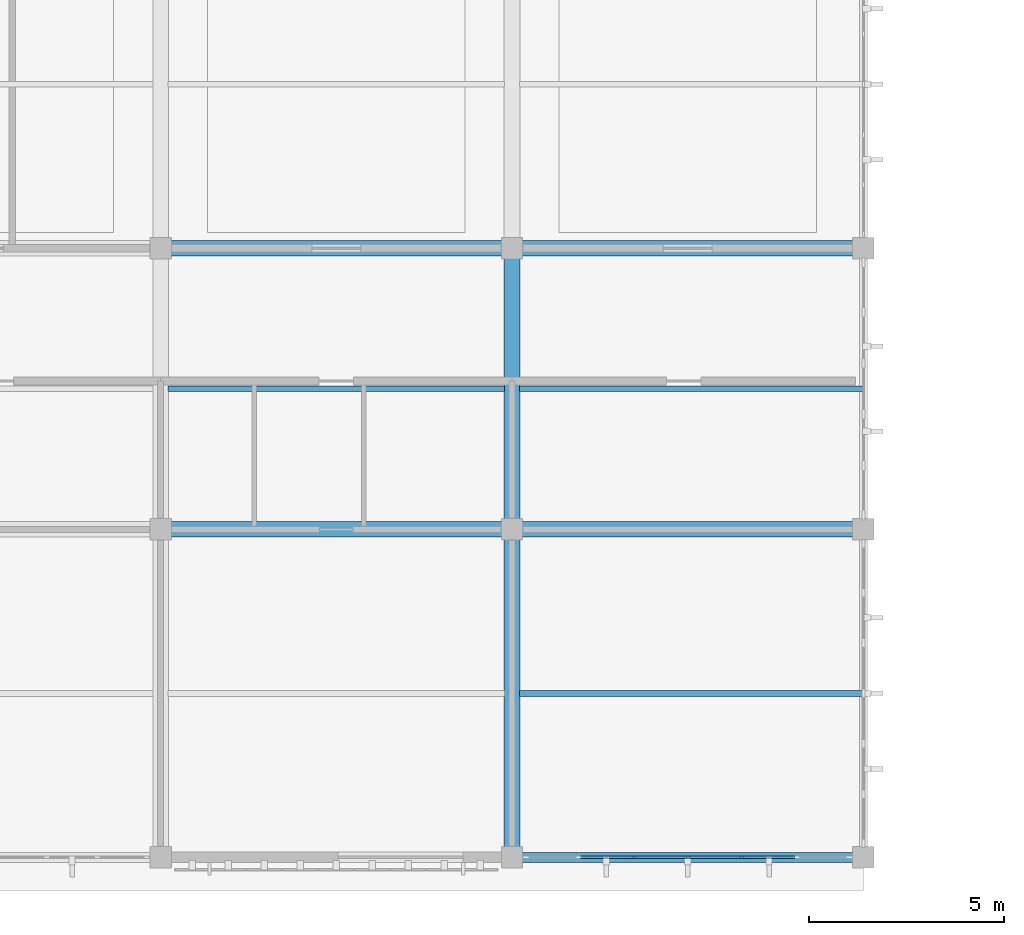
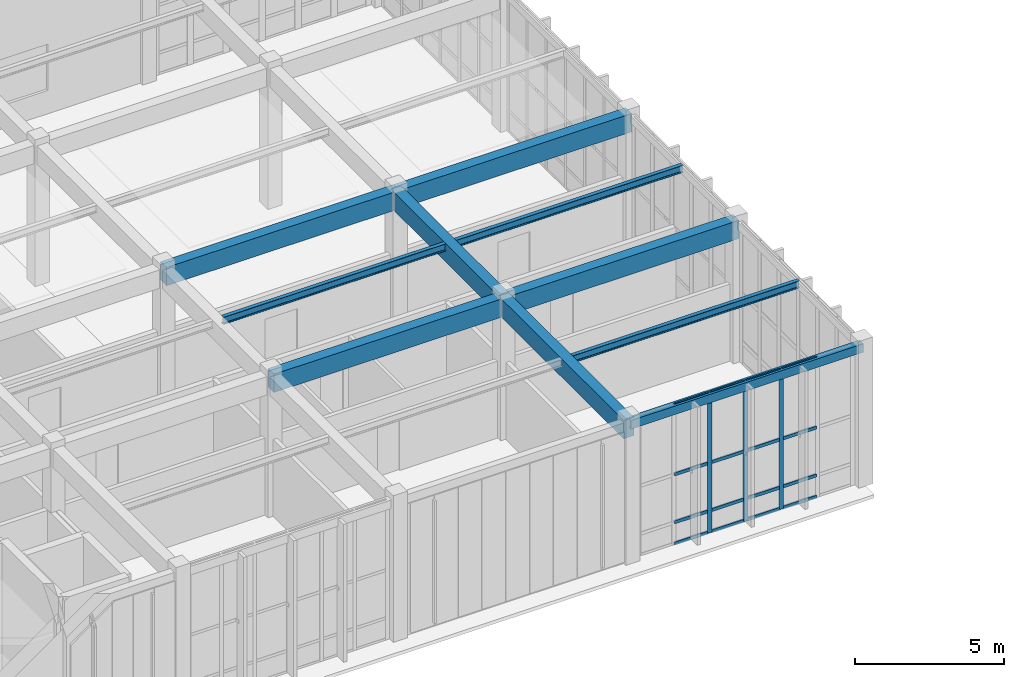
# One storey, part 20 of 105: 19 members, 10 beams, 1 element without a shape of its own.
"""IFC4 building model written with IfcOpenShell, lengths in metres."""

from ifc_helpers import new_model, si_unit, direction, frame, origin, origin_2d, place, context, subcontext, project, spatial, rectangle, hollow_rectangle, i_section, extrude, material, material_profile, profile_set, type_object, element, aggregate, save


model = new_model("IFC4")

# Units and contexts
model_context = context("Model", 3, precision=1e-05, world=origin(), true_north=direction((0.0, 1.0)))
body_context = subcontext(model_context, "Body", "Model", "MODEL_VIEW")
ifc_project = project(units=[si_unit("LENGTHUNIT", "METRE"), si_unit("AREAUNIT", "SQUARE_METRE"), si_unit("VOLUMEUNIT", "CUBIC_METRE"), si_unit("PLANEANGLEUNIT", "RADIAN"), si_unit("MASSUNIT", "GRAM", prefix="KILO")], contexts=[model_context])

# Site, building, storey
site_placement = place(None, origin())
site = spatial("IfcSite", under=ifc_project, at=site_placement, CompositionType="ELEMENT")
building_placement = place(site_placement, origin())
building = spatial("IfcBuilding", under=site, at=building_placement, Name="Tizgana Railside Sports Hall", CompositionType="ELEMENT")
storey_placement = place(building_placement, frame((0.0, 0.0, 6.0)))
storey = spatial("IfcBuildingStorey", under=building, at=storey_placement, Name="L01", CompositionType="ELEMENT", Elevation=6.0)

# Beams
ifc_material_1 = material(Name="Concrete C35/45", Category="concrete")
ifc_material_profile_1 = material_profile(ifc_material_1, rectangle(XDim=0.39990234375, YDim=0.75, at=origin_2d()), Name="RCB 400x750")
ifc_profile_set_1 = profile_set([ifc_material_profile_1], Name="Concrete C35/45")
beam_type_1 = type_object("IfcBeamType", Name="Concrete Beam RCB 400x750", PredefinedType="BEAM", material=ifc_profile_set_1)
beam_1_placement = place(storey_placement, frame((88.800048828125, 0.0, 5.361083984375), z_axis=(0.0, 1.0, 0.0), x_axis=(-1.0, 0.0, 0.0)))
element("IfcBeam", 1, at=beam_1_placement, inside=storey, type_object=beam_type_1, Name="L01 BEM-0502", PredefinedType="BEAM", context=body_context, shape_type="SweptSolid", body=[
    extrude(rectangle(XDim=0.39990234375, YDim=0.75, at=origin_2d()), origin(), (0.0, 0.0, 1.0), 8.39990234375),
])
beam_2_placement = place(storey_placement, frame((88.800048828125, 8.39990234375, 5.361083984375), z_axis=(0.0, 1.0, 0.0), x_axis=(-1.0, 0.0, 0.0)))
element("IfcBeam", 2, at=beam_2_placement, inside=storey, type_object=beam_type_1, Name="L01 BEM-0503", PredefinedType="BEAM", context=body_context, shape_type="SweptSolid", body=[
    extrude(rectangle(XDim=0.39990234375, YDim=0.75, at=origin_2d()), origin(), (0.0, 0.0, 1.0), 7.2001953125),
])
for number, where, z_axis, x_axis, name in (
    (3, (79.800048828125, 8.39990234375, 5.361083984375), (1.0, 0.0, 0.0), (0.0, 1.0, 0.0), "L01 BEM-0580"),
    (4, (79.800048828125, 15.60009765625, 5.361083984375), (1.0, 0.0, 0.0), (0.0, 1.0, 0.0), "L01 BEM-0581"),
    (5, (88.800048828125, 8.39990234375, 5.361083984375), (1.0, 0.0, 0.0), (0.0, 1.0, 0.0), "L01 BEM-0589"),
    (6, (88.800048828125, 15.60009765625, 5.361083984375), (1.0, 0.0, 0.0), (0.0, 1.0, 0.0), "L01 BEM-0590"),
):
    element("IfcBeam", number, at=place(storey_placement, frame(where, z_axis=z_axis, x_axis=x_axis)), inside=storey, type_object=beam_type_1, Name=name, PredefinedType="BEAM", context=body_context, shape_type="SweptSolid", body=[
        extrude(rectangle(XDim=0.39990234375, YDim=0.75, at=origin_2d()), origin(), (0.0, 0.0, 1.0), 9.0),
    ])

# Curtain wall, members
ifc_material_2 = material(Name="Anodised aluminium and glass", Category="aluminium")
curtain_wall_type = type_object("IfcCurtainWallType", Name="Unitised Curtain Wall Climbing 1600", PredefinedType="NOTDEFINED", material=ifc_material_2)
curtain_wall_placement = place(storey_placement, origin())
curtain_wall = element("IfcCurtainWall", 7, at=curtain_wall_placement, inside=storey, type_object=curtain_wall_type, Name="L01 Curtain Wall CW-0091", PredefinedType="NOTDEFINED")
ifc_material_3 = material(Name="Anodised aluminium", Category="aluminium")
ifc_material_profile_2 = material_profile(ifc_material_3, rectangle(XDim=0.06005859375, YDim=0.159912109375, at=origin_2d()), Name="Mullion 60x160")
ifc_profile_set_2 = profile_set([ifc_material_profile_2], Name="Anodised aluminium")
member_type_1 = type_object("IfcMemberType", Name="Mullion 60x160", PredefinedType="MULLION", material=ifc_profile_set_2)
member_1_placement = place(storey_placement, frame((94.68994140625, 0.0, 0.0), z_axis=(0.0, 0.0, 1.0), x_axis=(0.0, -1.0, 0.0)))
member_1 = element("IfcMember", 8, at=member_1_placement, type_object=member_type_1, Name="CW-04 mullion 3", PredefinedType="MULLION", context=body_context, shape_type="SweptSolid", body=[
    extrude(rectangle(XDim=0.06005859375, YDim=0.159912109375, at=origin_2d()), origin(), (0.0, 0.0, 1.0), 5.719970703125),
])
member_2_placement = place(storey_placement, frame((93.300048828125, 0.0, 0.0), z_axis=(0.0, 0.0, 1.0), x_axis=(0.0, -1.0, 0.0)))
member_2 = element("IfcMember", 9, at=member_2_placement, type_object=member_type_1, Name="CW-04 mullion 4", PredefinedType="MULLION", context=body_context, shape_type="SweptSolid", body=[
    extrude(rectangle(XDim=0.06005859375, YDim=0.159912109375, at=origin_2d()), origin(), (0.0, 0.0, 1.0), 5.719970703125),
])
member_3_placement = place(storey_placement, frame((91.909912109375, 0.0, 0.0), z_axis=(0.0, 0.0, 1.0), x_axis=(0.0, -1.0, 0.0)))
member_3 = element("IfcMember", 10, at=member_3_placement, type_object=member_type_1, Name="CW-04 mullion 5", PredefinedType="MULLION", context=body_context, shape_type="SweptSolid", body=[
    extrude(rectangle(XDim=0.06005859375, YDim=0.159912109375, at=origin_2d()), origin(), (0.0, 0.0, 1.0), 5.719970703125),
])

# Beams
ifc_material_4 = material(Name="Steel S355J2", Category="steel")
ifc_material_profile_3 = material_profile(ifc_material_4, i_section(OverallWidth=0.14990234375, OverallDepth=0.300048828125, WebThickness=0.007080078125, FlangeThickness=0.0107421875, FilletRadius=0.014892578125, at=origin_2d()), Name="IPE 300")
ifc_profile_set_3 = profile_set([ifc_material_profile_3], Name="Steel S355J2")
beam_type_2 = type_object("IfcBeamType", Name="Steel Joist IPE 300", PredefinedType="JOIST", material=ifc_profile_set_3)
beam_3_placement = place(storey_placement, frame((79.9951171875, 12.0, 5.5859375), z_axis=(1.0, 0.0, 0.0), x_axis=(0.0, 1.0, 0.0)))
element("IfcBeam", 11, at=beam_3_placement, inside=storey, type_object=beam_type_2, Name="L01 BEM-0585", PredefinedType="JOIST", context=body_context, shape_type="SweptSolid", body=[
    extrude(i_section(OverallWidth=0.14990234375, OverallDepth=0.300048828125, WebThickness=0.007080078125, FlangeThickness=0.0107421875, FilletRadius=0.014892578125, at=origin_2d()), origin(), (0.0, 0.0, 1.0), 8.60986328125),
])
for number, where, z_axis, x_axis, name in (
    (12, (88.9951171875, 4.199951171875, 5.5859375), (1.0, 0.0, 0.0), (0.0, 1.0, 0.0), "L01 BEM-0593"),
    (13, (88.9951171875, 12.0, 5.5859375), (1.0, 0.0, 0.0), (0.0, 1.0, 0.0), "L01 BEM-0594"),
):
    element("IfcBeam", number, at=place(storey_placement, frame(where, z_axis=z_axis, x_axis=x_axis)), inside=storey, type_object=beam_type_2, Name=name, PredefinedType="JOIST", context=body_context, shape_type="SweptSolid", body=[
        extrude(i_section(OverallWidth=0.14990234375, OverallDepth=0.300048828125, WebThickness=0.007080078125, FlangeThickness=0.0107421875, FilletRadius=0.014892578125, at=origin_2d()), origin(), (0.0, 0.0, 1.0), 8.804931640625),
    ])
ifc_material_profile_4 = material_profile(ifc_material_4, hollow_rectangle(XDim=0.25, YDim=0.35009765625, WallThickness=0.011962890625, at=origin_2d()), Name="RHS 350x250x12")
ifc_profile_set_4 = profile_set([ifc_material_profile_4], Name="Steel S355J2")
beam_type_3 = type_object("IfcBeamType", Name="Steel Spandrel RHS 350x250x12", PredefinedType="SPANDREL", material=ifc_profile_set_4)
beam_4_placement = place(storey_placement, frame((88.800048828125, 0.0, 5.56103515625), z_axis=(1.0, 0.0, 0.0), x_axis=(0.0, 1.0, 0.0)))
element("IfcBeam", 14, at=beam_4_placement, inside=storey, type_object=beam_type_3, Name="L01 BEM-0588", PredefinedType="SPANDREL", context=body_context, shape_type="SweptSolid", body=[
    extrude(hollow_rectangle(XDim=0.25, YDim=0.35009765625, WallThickness=0.011962890625, at=origin_2d()), origin(), (0.0, 0.0, 1.0), 9.0),
])

# Member
ifc_material_profile_5 = material_profile(ifc_material_3, rectangle(XDim=0.06005859375, YDim=0.1298828125, at=origin_2d()), Name="Transom 60x130")
ifc_profile_set_5 = profile_set([ifc_material_profile_5], Name="Anodised aluminium")
member_type_2 = type_object("IfcMemberType", Name="Transom 60x130", PredefinedType="USERDEFINED", material=ifc_profile_set_5)
member_4_placement = place(storey_placement, frame((96.050048828125, 0.0, 0.030029296875), z_axis=(-1.0, 0.0, 0.0), x_axis=(0.0, -1.0, 0.0)))
member_4 = element("IfcMember", 15, at=member_4_placement, type_object=member_type_2, Name="CW-04 transom 2.1", ObjectType="TRANSOM", PredefinedType="USERDEFINED", context=body_context, shape_type="SweptSolid", body=[
    extrude(rectangle(XDim=0.06005859375, YDim=0.1298828125, at=origin_2d()), origin(), (0.0, 0.0, 1.0), 1.330078125),
])

member_5_placement = place(storey_placement, frame((96.050048828125, 0.0, 0.89990234375), z_axis=(-1.0, 0.0, 0.0), x_axis=(0.0, -1.0, 0.0)))
member_5 = element("IfcMember", 16, at=member_5_placement, type_object=member_type_2, Name="CW-04 transom 2.2", ObjectType="TRANSOM", PredefinedType="USERDEFINED", context=body_context, shape_type="SweptSolid", body=[
    extrude(rectangle(XDim=0.06005859375, YDim=0.1298828125, at=origin_2d()), origin(), (0.0, 0.0, 1.0), 1.330078125),
])

member_6_placement = place(storey_placement, frame((96.050048828125, 0.0, 2.860107421875), z_axis=(-1.0, 0.0, 0.0), x_axis=(0.0, -1.0, 0.0)))
member_6 = element("IfcMember", 17, at=member_6_placement, type_object=member_type_2, Name="CW-04 transom 2.3", ObjectType="TRANSOM", PredefinedType="USERDEFINED", context=body_context, shape_type="SweptSolid", body=[
    extrude(rectangle(XDim=0.06005859375, YDim=0.1298828125, at=origin_2d()), origin(), (0.0, 0.0, 1.0), 1.330078125),
])

member_7_placement = place(storey_placement, frame((96.050048828125, 0.0, 5.68994140625), z_axis=(-1.0, 0.0, 0.0), x_axis=(0.0, -1.0, 0.0)))
member_7 = element("IfcMember", 18, at=member_7_placement, type_object=member_type_2, Name="CW-04 transom 2.4", ObjectType="TRANSOM", PredefinedType="USERDEFINED", context=body_context, shape_type="SweptSolid", body=[
    extrude(rectangle(XDim=0.06005859375, YDim=0.1298828125, at=origin_2d()), origin(), (0.0, 0.0, 1.0), 1.330078125),
])

member_8_placement = place(storey_placement, frame((94.659912109375, 0.0, 0.030029296875), z_axis=(-1.0, 0.0, 0.0), x_axis=(0.0, -1.0, 0.0)))
member_8 = element("IfcMember", 19, at=member_8_placement, type_object=member_type_2, Name="CW-04 transom 3.1", ObjectType="TRANSOM", PredefinedType="USERDEFINED", context=body_context, shape_type="SweptSolid", body=[
    extrude(rectangle(XDim=0.06005859375, YDim=0.1298828125, at=origin_2d()), origin(), (0.0, 0.0, 1.0), 1.329833984375),
])

member_9_placement = place(storey_placement, frame((94.659912109375, 0.0, 0.89990234375), z_axis=(-1.0, 0.0, 0.0), x_axis=(0.0, -1.0, 0.0)))
member_9 = element("IfcMember", 20, at=member_9_placement, type_object=member_type_2, Name="CW-04 transom 3.2", ObjectType="TRANSOM", PredefinedType="USERDEFINED", context=body_context, shape_type="SweptSolid", body=[
    extrude(rectangle(XDim=0.06005859375, YDim=0.1298828125, at=origin_2d()), origin(), (0.0, 0.0, 1.0), 1.329833984375),
])

member_10_placement = place(storey_placement, frame((94.659912109375, 0.0, 2.860107421875), z_axis=(-1.0, 0.0, 0.0), x_axis=(0.0, -1.0, 0.0)))
member_10 = element("IfcMember", 21, at=member_10_placement, type_object=member_type_2, Name="CW-04 transom 3.3", ObjectType="TRANSOM", PredefinedType="USERDEFINED", context=body_context, shape_type="SweptSolid", body=[
    extrude(rectangle(XDim=0.06005859375, YDim=0.1298828125, at=origin_2d()), origin(), (0.0, 0.0, 1.0), 1.329833984375),
])

member_11_placement = place(storey_placement, frame((94.659912109375, 0.0, 5.68994140625), z_axis=(-1.0, 0.0, 0.0), x_axis=(0.0, -1.0, 0.0)))
member_11 = element("IfcMember", 22, at=member_11_placement, type_object=member_type_2, Name="CW-04 transom 3.4", ObjectType="TRANSOM", PredefinedType="USERDEFINED", context=body_context, shape_type="SweptSolid", body=[
    extrude(rectangle(XDim=0.06005859375, YDim=0.1298828125, at=origin_2d()), origin(), (0.0, 0.0, 1.0), 1.329833984375),
])

member_12_placement = place(storey_placement, frame((93.27001953125, 0.0, 0.030029296875), z_axis=(-1.0, 0.0, 0.0), x_axis=(0.0, -1.0, 0.0)))
member_12 = element("IfcMember", 23, at=member_12_placement, type_object=member_type_2, Name="CW-04 transom 4.1", ObjectType="TRANSOM", PredefinedType="USERDEFINED", context=body_context, shape_type="SweptSolid", body=[
    extrude(rectangle(XDim=0.06005859375, YDim=0.1298828125, at=origin_2d()), origin(), (0.0, 0.0, 1.0), 1.330078125),
])

member_13_placement = place(storey_placement, frame((93.27001953125, 0.0, 0.89990234375), z_axis=(-1.0, 0.0, 0.0), x_axis=(0.0, -1.0, 0.0)))
member_13 = element("IfcMember", 24, at=member_13_placement, type_object=member_type_2, Name="CW-04 transom 4.2", ObjectType="TRANSOM", PredefinedType="USERDEFINED", context=body_context, shape_type="SweptSolid", body=[
    extrude(rectangle(XDim=0.06005859375, YDim=0.1298828125, at=origin_2d()), origin(), (0.0, 0.0, 1.0), 1.330078125),
])

member_14_placement = place(storey_placement, frame((93.27001953125, 0.0, 2.860107421875), z_axis=(-1.0, 0.0, 0.0), x_axis=(0.0, -1.0, 0.0)))
member_14 = element("IfcMember", 25, at=member_14_placement, type_object=member_type_2, Name="CW-04 transom 4.3", ObjectType="TRANSOM", PredefinedType="USERDEFINED", context=body_context, shape_type="SweptSolid", body=[
    extrude(rectangle(XDim=0.06005859375, YDim=0.1298828125, at=origin_2d()), origin(), (0.0, 0.0, 1.0), 1.330078125),
])

member_15_placement = place(storey_placement, frame((93.27001953125, 0.0, 5.68994140625), z_axis=(-1.0, 0.0, 0.0), x_axis=(0.0, -1.0, 0.0)))
member_15 = element("IfcMember", 26, at=member_15_placement, type_object=member_type_2, Name="CW-04 transom 4.4", ObjectType="TRANSOM", PredefinedType="USERDEFINED", context=body_context, shape_type="SweptSolid", body=[
    extrude(rectangle(XDim=0.06005859375, YDim=0.1298828125, at=origin_2d()), origin(), (0.0, 0.0, 1.0), 1.330078125),
])

member_16_placement = place(storey_placement, frame((91.8798828125, 0.0, 0.030029296875), z_axis=(-1.0, 0.0, 0.0), x_axis=(0.0, -1.0, 0.0)))
member_16 = element("IfcMember", 27, at=member_16_placement, type_object=member_type_2, Name="CW-04 transom 5.1", ObjectType="TRANSOM", PredefinedType="USERDEFINED", context=body_context, shape_type="SweptSolid", body=[
    extrude(rectangle(XDim=0.06005859375, YDim=0.1298828125, at=origin_2d()), origin(), (0.0, 0.0, 1.0), 1.329833984375),
])

member_17_placement = place(storey_placement, frame((91.8798828125, 0.0, 0.89990234375), z_axis=(-1.0, 0.0, 0.0), x_axis=(0.0, -1.0, 0.0)))
member_17 = element("IfcMember", 28, at=member_17_placement, type_object=member_type_2, Name="CW-04 transom 5.2", ObjectType="TRANSOM", PredefinedType="USERDEFINED", context=body_context, shape_type="SweptSolid", body=[
    extrude(rectangle(XDim=0.06005859375, YDim=0.1298828125, at=origin_2d()), origin(), (0.0, 0.0, 1.0), 1.329833984375),
])

member_18_placement = place(storey_placement, frame((91.8798828125, 0.0, 2.860107421875), z_axis=(-1.0, 0.0, 0.0), x_axis=(0.0, -1.0, 0.0)))
member_18 = element("IfcMember", 29, at=member_18_placement, type_object=member_type_2, Name="CW-04 transom 5.3", ObjectType="TRANSOM", PredefinedType="USERDEFINED", context=body_context, shape_type="SweptSolid", body=[
    extrude(rectangle(XDim=0.06005859375, YDim=0.1298828125, at=origin_2d()), origin(), (0.0, 0.0, 1.0), 1.329833984375),
])

member_19_placement = place(storey_placement, frame((91.8798828125, 0.0, 5.68994140625), z_axis=(-1.0, 0.0, 0.0), x_axis=(0.0, -1.0, 0.0)))
member_19 = element("IfcMember", 30, at=member_19_placement, type_object=member_type_2, Name="CW-04 transom 5.4", ObjectType="TRANSOM", PredefinedType="USERDEFINED", context=body_context, shape_type="SweptSolid", body=[
    extrude(rectangle(XDim=0.06005859375, YDim=0.1298828125, at=origin_2d()), origin(), (0.0, 0.0, 1.0), 1.329833984375),
])

aggregate(curtain_wall, [member_1, member_2, member_3, member_4, member_5, member_6, member_7, member_8, member_9, member_10, member_11, member_12, member_13, member_14, member_15, member_16, member_17, member_18, member_19])

save(model, "model.ifc")
